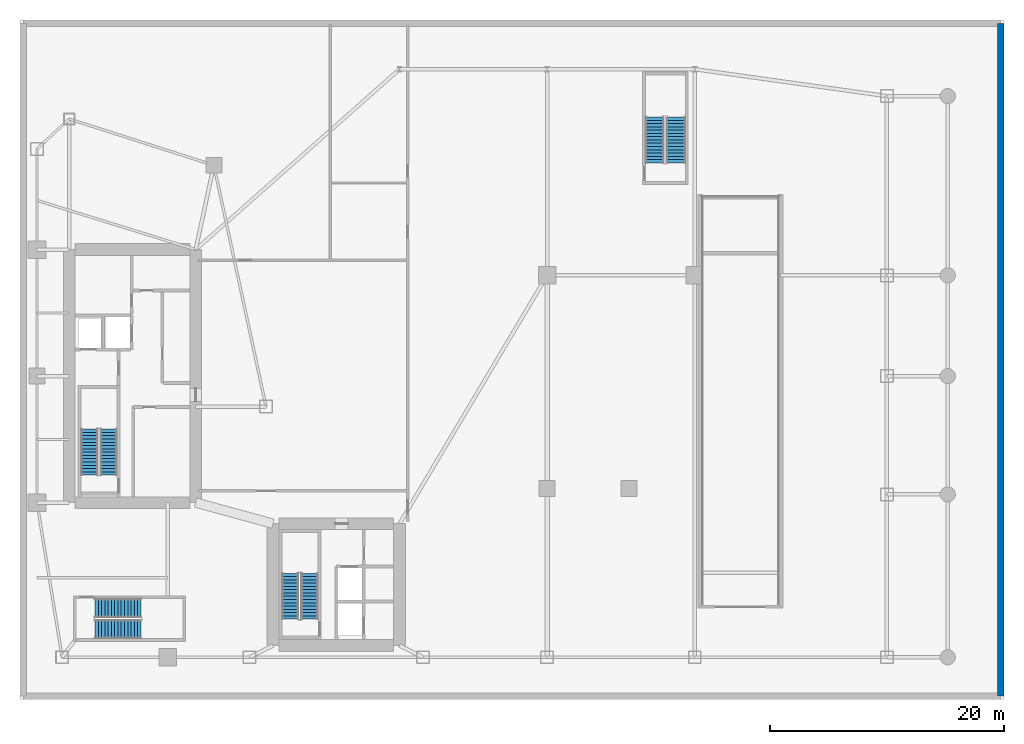
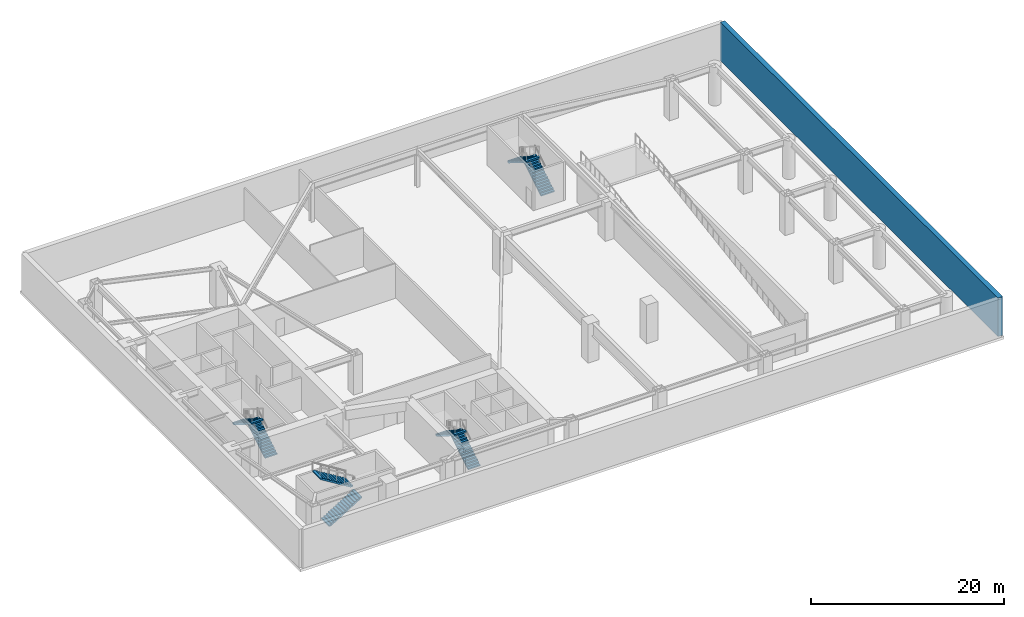
# One storey, part 9 of 13: 8 stair flights, 1 wall, 4 elements without a shape of their own.
"""IFC4 building model written with IfcOpenShell, lengths in metres."""

from ifc_helpers import new_model, si_unit, direction, frame, frame_2d, origin, place, context, subcontext, project, spatial, polyline, rectangle, outline, extrude, material, layer, layer_set, type_object, element, aggregate, save


model = new_model("IFC4")

# Units and contexts
model_context = context("Model", 3, precision=1e-05, world=origin(), true_north=direction((0.0, 1.0)))
body_context = subcontext(model_context, "Body", "Model", "MODEL_VIEW")
ifc_project = project(units=[si_unit("LENGTHUNIT", "METRE"), si_unit("AREAUNIT", "SQUARE_METRE"), si_unit("VOLUMEUNIT", "CUBIC_METRE"), si_unit("PLANEANGLEUNIT", "RADIAN"), si_unit("MASSUNIT", "GRAM", prefix="KILO")], contexts=[model_context])

# Site, building, storey
site_placement = place(None, origin())
site = spatial("IfcSite", under=ifc_project, at=site_placement, CompositionType="ELEMENT")
building_placement = place(site_placement, origin())
building = spatial("IfcBuilding", under=site, at=building_placement, Name="Calvorn Quay Hotel", CompositionType="ELEMENT")
storey_placement = place(building_placement, frame((0.0, 0.0, -5.199951171875)))
storey = spatial("IfcBuildingStorey", under=building, at=storey_placement, Name="B1", CompositionType="ELEMENT", Elevation=-5.199951171875)

# Wall
ifc_material_1 = material(Name="Concrete C45", Category="concrete")
ifc_layer = layer(ifc_material_1, 0.550048828125)
ifc_layer_set = layer_set([ifc_layer], Name="WL-BSM-RET-550")
wall_type = type_object("IfcWallType", Name="WL-BSM-RET-550", PredefinedType="USERDEFINED", material=ifc_layer_set)
wall_placement = place(storey_placement, frame((83.719970703125, 0.280029296875, 0.0), z_axis=(0.0, 0.0, 1.0), x_axis=(0.0, 1.0, 0.0)))
element("IfcWall", 1, at=wall_placement, inside=storey, type_object=wall_type, Name="B1 Retaining Wall E", ObjectType="RETAINING", PredefinedType="USERDEFINED", context=body_context, shape_type="SweptSolid", body=[
    extrude(rectangle(XDim=57.43994140625, YDim=0.550048828125, at=frame_2d((28.719970703125, 0.0))), origin(), (0.0, 0.0, 1.0), 4.8798828125),
])

# Stair, stair flights
ifc_material_2 = material(Name="Concrete C40", Category="concrete")
stair_type_1 = type_object("IfcStairType", Name="STR-CORE-DOGLEG", PredefinedType="HALF_TURN_STAIR", material=ifc_material_2)
stair_1_placement = place(storey_placement, origin())
stair_1 = element("IfcStair", 2, at=stair_1_placement, inside=storey, type_object=stair_type_1, Name="B1 ST-W", PredefinedType="HALF_TURN_STAIR")
ifc_material_3 = material(Name="Concrete C40", Category="concrete")
stair_flight_type_1 = type_object("IfcStairFlightType", Name="FLT-CORE-1550", PredefinedType="STRAIGHT", material=ifc_material_3)
stair_flight_1_placement = place(storey_placement, frame((7.574951171875, 19.14990234375, 0.0), z_axis=(0.0, 0.0, 1.0), x_axis=(0.0, 1.0, 0.0)))
stair_flight_1 = element("IfcStairFlight", 3, at=stair_flight_1_placement, type_object=stair_flight_type_1, Name="ST-W flight 1", NumberOfRisers=15, NumberOfTreads=14, PredefinedType="STRAIGHT", RiserHeight=0.173333333, TreadLength=0.28, context=body_context, shape_type="SweptSolid", body=[
    extrude(outline(polyline([(0.0, 0.0), (0.0, 0.17333984375), (0.280029296875, 0.17333984375), (0.280029296875, 0.3466796875), (0.56005859375, 0.3466796875), (0.56005859375, 0.52001953125), (0.840087890625, 0.52001953125), (0.840087890625, 0.693359375), (1.1201171875, 0.693359375), (1.1201171875, 0.86669921875), (1.39990234375, 0.86669921875), (1.39990234375, 1.0400390625), (1.679931640625, 1.0400390625), (1.679931640625, 1.21337890625), (1.9599609375, 1.21337890625), (1.9599609375, 1.38671875), (2.239990234375, 1.38671875), (2.239990234375, 1.56005859375), (2.52001953125, 1.56005859375), (2.52001953125, 1.7333984375), (2.800048828125, 1.7333984375), (2.800048828125, 1.90673828125), (3.080078125, 1.90673828125), (3.080078125, 2.080078125), (3.360107421875, 2.080078125), (3.360107421875, 2.25341796875), (3.639892578125, 2.25341796875), (3.639892578125, 2.4267578125), (3.919921875, 2.4267578125), (3.919921875, 2.60009765625), (3.919921875, 2.250244140625), (0.284912109375, 0.0), (0.0, 0.0)])), frame((0.0, 0.72509765625, 0.0), z_axis=(0.0, -1.0, 0.0), x_axis=(1.0, 0.0, 0.0)), (0.0, 0.0, 1.0), 1.449951171875),
])
stair_flight_2_placement = place(storey_placement, frame((5.925048828125, 23.070068359375, 2.599853515625), z_axis=(0.0, 0.0, 1.0), x_axis=(0.0, -1.0, 0.0)))
stair_flight_2 = element("IfcStairFlight", 4, at=stair_flight_2_placement, type_object=stair_flight_type_1, Name="ST-W flight 2", NumberOfRisers=15, NumberOfTreads=14, PredefinedType="STRAIGHT", RiserHeight=0.173333333, TreadLength=0.28, context=body_context, shape_type="SweptSolid", body=[
    extrude(outline(polyline([(0.0, 0.0), (0.0, 0.17333984375), (0.280029296875, 0.17333984375), (0.280029296875, 0.3466796875), (0.56005859375, 0.3466796875), (0.56005859375, 0.52001953125), (0.840087890625, 0.52001953125), (0.840087890625, 0.693359375), (1.1201171875, 0.693359375), (1.1201171875, 0.86669921875), (1.39990234375, 0.86669921875), (1.39990234375, 1.0400390625), (1.679931640625, 1.0400390625), (1.679931640625, 1.21337890625), (1.9599609375, 1.21337890625), (1.9599609375, 1.38671875), (2.239990234375, 1.38671875), (2.239990234375, 1.56005859375), (2.52001953125, 1.56005859375), (2.52001953125, 1.7333984375), (2.800048828125, 1.7333984375), (2.800048828125, 1.90673828125), (3.080078125, 1.90673828125), (3.080078125, 2.080078125), (3.360107421875, 2.080078125), (3.360107421875, 2.25341796875), (3.639892578125, 2.25341796875), (3.639892578125, 2.4267578125), (3.919921875, 2.4267578125), (3.919921875, 2.60009765625), (3.919921875, 2.250244140625), (0.284912109375, 0.0), (0.0, 0.0)])), frame((0.0, 0.72509765625, 0.0), z_axis=(0.0, -1.0, 0.0), x_axis=(1.0, 0.0, 0.0)), (0.0, 0.0, 1.0), 1.449951171875),
])
aggregate(stair_1, [stair_flight_1, stair_flight_2])

stair_2_placement = place(storey_placement, origin())
stair_2 = element("IfcStair", 5, at=stair_2_placement, inside=storey, type_object=stair_type_1, Name="B1 ST-E", PredefinedType="HALF_TURN_STAIR")
stair_flight_3_placement = place(storey_placement, frame((24.72509765625, 6.85009765625, 0.0), z_axis=(0.0, 0.0, 1.0), x_axis=(0.0, 1.0, 0.0)))
stair_flight_3 = element("IfcStairFlight", 6, at=stair_flight_3_placement, type_object=stair_flight_type_1, Name="ST-E flight 1", NumberOfRisers=15, NumberOfTreads=14, PredefinedType="STRAIGHT", RiserHeight=0.173333333, TreadLength=0.28, context=body_context, shape_type="SweptSolid", body=[
    extrude(outline(polyline([(0.0, 0.0), (0.0, 0.17333984375), (0.280029296875, 0.17333984375), (0.280029296875, 0.3466796875), (0.56005859375, 0.3466796875), (0.56005859375, 0.52001953125), (0.840087890625, 0.52001953125), (0.840087890625, 0.693359375), (1.1201171875, 0.693359375), (1.1201171875, 0.86669921875), (1.39990234375, 0.86669921875), (1.39990234375, 1.0400390625), (1.679931640625, 1.0400390625), (1.679931640625, 1.21337890625), (1.9599609375, 1.21337890625), (1.9599609375, 1.38671875), (2.239990234375, 1.38671875), (2.239990234375, 1.56005859375), (2.52001953125, 1.56005859375), (2.52001953125, 1.7333984375), (2.800048828125, 1.7333984375), (2.800048828125, 1.90673828125), (3.080078125, 1.90673828125), (3.080078125, 2.080078125), (3.360107421875, 2.080078125), (3.360107421875, 2.25341796875), (3.639892578125, 2.25341796875), (3.639892578125, 2.4267578125), (3.919921875, 2.4267578125), (3.919921875, 2.60009765625), (3.919921875, 2.250244140625), (0.284912109375, 0.0), (0.0, 0.0)])), frame((0.0, 0.72509765625, 0.0), z_axis=(0.0, -1.0, 0.0), x_axis=(1.0, 0.0, 0.0)), (0.0, 0.0, 1.0), 1.449951171875),
])
stair_flight_4_placement = place(storey_placement, frame((23.074951171875, 10.77001953125, 2.599853515625), z_axis=(0.0, 0.0, 1.0), x_axis=(0.0, -1.0, 0.0)))
stair_flight_4 = element("IfcStairFlight", 7, at=stair_flight_4_placement, type_object=stair_flight_type_1, Name="ST-E flight 2", NumberOfRisers=15, NumberOfTreads=14, PredefinedType="STRAIGHT", RiserHeight=0.173333333, TreadLength=0.28, context=body_context, shape_type="SweptSolid", body=[
    extrude(outline(polyline([(0.0, 0.0), (0.0, 0.17333984375), (0.280029296875, 0.17333984375), (0.280029296875, 0.3466796875), (0.56005859375, 0.3466796875), (0.56005859375, 0.52001953125), (0.840087890625, 0.52001953125), (0.840087890625, 0.693359375), (1.1201171875, 0.693359375), (1.1201171875, 0.86669921875), (1.39990234375, 0.86669921875), (1.39990234375, 1.0400390625), (1.679931640625, 1.0400390625), (1.679931640625, 1.21337890625), (1.9599609375, 1.21337890625), (1.9599609375, 1.38671875), (2.239990234375, 1.38671875), (2.239990234375, 1.56005859375), (2.52001953125, 1.56005859375), (2.52001953125, 1.7333984375), (2.800048828125, 1.7333984375), (2.800048828125, 1.90673828125), (3.080078125, 1.90673828125), (3.080078125, 2.080078125), (3.360107421875, 2.080078125), (3.360107421875, 2.25341796875), (3.639892578125, 2.25341796875), (3.639892578125, 2.4267578125), (3.919921875, 2.4267578125), (3.919921875, 2.60009765625), (3.919921875, 2.250244140625), (0.284912109375, 0.0), (0.0, 0.0)])), frame((0.0, 0.72509765625, 0.0), z_axis=(0.0, -1.0, 0.0), x_axis=(1.0, 0.0, 0.0)), (0.0, 0.0, 1.0), 1.449951171875),
])
aggregate(stair_2, [stair_flight_3, stair_flight_4])

ifc_material_4 = material(Name="Concrete C40", Category="concrete")
stair_type_2 = type_object("IfcStairType", Name="STR-POD-DOGLEG", PredefinedType="TWO_QUARTER_TURN_STAIR", material=ifc_material_4)
stair_3_placement = place(storey_placement, origin())
stair_3 = element("IfcStair", 8, at=stair_3_placement, inside=storey, type_object=stair_type_2, Name="B1 ST-P1", PredefinedType="TWO_QUARTER_TURN_STAIR")
ifc_material_5 = material(Name="Concrete C40", Category="concrete")
stair_flight_type_2 = type_object("IfcStairFlightType", Name="FLT-POD-1750", PredefinedType="STRAIGHT", material=ifc_material_5)
stair_flight_5_placement = place(storey_placement, frame((56.0, 45.800048828125, 0.0), z_axis=(0.0, 0.0, 1.0), x_axis=(0.0, 1.0, 0.0)))
stair_flight_5 = element("IfcStairFlight", 9, at=stair_flight_5_placement, type_object=stair_flight_type_2, Name="ST-P1 flight 1", NumberOfRisers=15, NumberOfTreads=14, PredefinedType="STRAIGHT", RiserHeight=0.173333333, TreadLength=0.28, context=body_context, shape_type="SweptSolid", body=[
    extrude(outline(polyline([(0.0, 0.0), (0.0, 0.17333984375), (0.280029296875, 0.17333984375), (0.280029296875, 0.3466796875), (0.56005859375, 0.3466796875), (0.56005859375, 0.52001953125), (0.840087890625, 0.52001953125), (0.840087890625, 0.693359375), (1.1201171875, 0.693359375), (1.1201171875, 0.86669921875), (1.39990234375, 0.86669921875), (1.39990234375, 1.0400390625), (1.679931640625, 1.0400390625), (1.679931640625, 1.21337890625), (1.9599609375, 1.21337890625), (1.9599609375, 1.38671875), (2.239990234375, 1.38671875), (2.239990234375, 1.56005859375), (2.52001953125, 1.56005859375), (2.52001953125, 1.7333984375), (2.800048828125, 1.7333984375), (2.800048828125, 1.90673828125), (3.080078125, 1.90673828125), (3.080078125, 2.080078125), (3.360107421875, 2.080078125), (3.360107421875, 2.25341796875), (3.639892578125, 2.25341796875), (3.639892578125, 2.4267578125), (3.919921875, 2.4267578125), (3.919921875, 2.60009765625), (3.919921875, 2.250244140625), (0.284912109375, 0.0), (0.0, 0.0)])), frame((0.0, 0.800048828125, 0.0), z_axis=(0.0, -1.0, 0.0), x_axis=(1.0, 0.0, 0.0)), (0.0, 0.0, 1.0), 1.60009765625),
])
stair_flight_6_placement = place(storey_placement, frame((54.199951171875, 49.719970703125, 2.599853515625), z_axis=(0.0, 0.0, 1.0), x_axis=(0.0, -1.0, 0.0)))
stair_flight_6 = element("IfcStairFlight", 10, at=stair_flight_6_placement, type_object=stair_flight_type_2, Name="ST-P1 flight 2", NumberOfRisers=15, NumberOfTreads=14, PredefinedType="STRAIGHT", RiserHeight=0.173333333, TreadLength=0.28, context=body_context, shape_type="SweptSolid", body=[
    extrude(outline(polyline([(0.0, 0.0), (0.0, 0.17333984375), (0.280029296875, 0.17333984375), (0.280029296875, 0.3466796875), (0.56005859375, 0.3466796875), (0.56005859375, 0.52001953125), (0.840087890625, 0.52001953125), (0.840087890625, 0.693359375), (1.1201171875, 0.693359375), (1.1201171875, 0.86669921875), (1.39990234375, 0.86669921875), (1.39990234375, 1.0400390625), (1.679931640625, 1.0400390625), (1.679931640625, 1.21337890625), (1.9599609375, 1.21337890625), (1.9599609375, 1.38671875), (2.239990234375, 1.38671875), (2.239990234375, 1.56005859375), (2.52001953125, 1.56005859375), (2.52001953125, 1.7333984375), (2.800048828125, 1.7333984375), (2.800048828125, 1.90673828125), (3.080078125, 1.90673828125), (3.080078125, 2.080078125), (3.360107421875, 2.080078125), (3.360107421875, 2.25341796875), (3.639892578125, 2.25341796875), (3.639892578125, 2.4267578125), (3.919921875, 2.4267578125), (3.919921875, 2.60009765625), (3.919921875, 2.250244140625), (0.284912109375, 0.0), (0.0, 0.0)])), frame((0.0, 0.800048828125, 0.0), z_axis=(0.0, -1.0, 0.0), x_axis=(1.0, 0.0, 0.0)), (0.0, 0.0, 1.0), 1.60009765625),
])
aggregate(stair_3, [stair_flight_5, stair_flight_6])

stair_4_placement = place(storey_placement, origin())
stair_4 = element("IfcStair", 11, at=stair_4_placement, inside=storey, type_object=stair_type_2, Name="B1 ST-P2", PredefinedType="TWO_QUARTER_TURN_STAIR")
stair_flight_7_placement = place(storey_placement, frame((6.39990234375, 6.0, 0.0), z_axis=(0.0, 0.0, 1.0), x_axis=(1.0, 0.0, 0.0)))
stair_flight_7 = element("IfcStairFlight", 12, at=stair_flight_7_placement, type_object=stair_flight_type_2, Name="ST-P2 flight 1", NumberOfRisers=15, NumberOfTreads=14, PredefinedType="STRAIGHT", RiserHeight=0.173333333, TreadLength=0.28, context=body_context, shape_type="SweptSolid", body=[
    extrude(outline(polyline([(0.0, 0.0), (0.0, 0.17333984375), (0.280029296875, 0.17333984375), (0.280029296875, 0.3466796875), (0.56005859375, 0.3466796875), (0.56005859375, 0.52001953125), (0.840087890625, 0.52001953125), (0.840087890625, 0.693359375), (1.1201171875, 0.693359375), (1.1201171875, 0.86669921875), (1.39990234375, 0.86669921875), (1.39990234375, 1.0400390625), (1.679931640625, 1.0400390625), (1.679931640625, 1.21337890625), (1.9599609375, 1.21337890625), (1.9599609375, 1.38671875), (2.239990234375, 1.38671875), (2.239990234375, 1.56005859375), (2.52001953125, 1.56005859375), (2.52001953125, 1.7333984375), (2.800048828125, 1.7333984375), (2.800048828125, 1.90673828125), (3.080078125, 1.90673828125), (3.080078125, 2.080078125), (3.360107421875, 2.080078125), (3.360107421875, 2.25341796875), (3.639892578125, 2.25341796875), (3.639892578125, 2.4267578125), (3.919921875, 2.4267578125), (3.919921875, 2.60009765625), (3.919921875, 2.250244140625), (0.284912109375, 0.0), (0.0, 0.0)])), frame((0.0, 0.800048828125, 0.0), z_axis=(0.0, -1.0, 0.0), x_axis=(1.0, 0.0, 0.0)), (0.0, 0.0, 1.0), 1.60009765625),
])
stair_flight_8_placement = place(storey_placement, frame((10.320068359375, 7.800048828125, 2.599853515625), z_axis=(0.0, 0.0, 1.0), x_axis=(-1.0, 0.0, 0.0)))
stair_flight_8 = element("IfcStairFlight", 13, at=stair_flight_8_placement, type_object=stair_flight_type_2, Name="ST-P2 flight 2", NumberOfRisers=15, NumberOfTreads=14, PredefinedType="STRAIGHT", RiserHeight=0.173333333, TreadLength=0.28, context=body_context, shape_type="SweptSolid", body=[
    extrude(outline(polyline([(0.0, 0.0), (0.0, 0.17333984375), (0.280029296875, 0.17333984375), (0.280029296875, 0.3466796875), (0.56005859375, 0.3466796875), (0.56005859375, 0.52001953125), (0.840087890625, 0.52001953125), (0.840087890625, 0.693359375), (1.1201171875, 0.693359375), (1.1201171875, 0.86669921875), (1.39990234375, 0.86669921875), (1.39990234375, 1.0400390625), (1.679931640625, 1.0400390625), (1.679931640625, 1.21337890625), (1.9599609375, 1.21337890625), (1.9599609375, 1.38671875), (2.239990234375, 1.38671875), (2.239990234375, 1.56005859375), (2.52001953125, 1.56005859375), (2.52001953125, 1.7333984375), (2.800048828125, 1.7333984375), (2.800048828125, 1.90673828125), (3.080078125, 1.90673828125), (3.080078125, 2.080078125), (3.360107421875, 2.080078125), (3.360107421875, 2.25341796875), (3.639892578125, 2.25341796875), (3.639892578125, 2.4267578125), (3.919921875, 2.4267578125), (3.919921875, 2.60009765625), (3.919921875, 2.250244140625), (0.284912109375, 0.0), (0.0, 0.0)])), frame((0.0, 0.800048828125, 0.0), z_axis=(0.0, -1.0, 0.0), x_axis=(1.0, 0.0, 0.0)), (0.0, 0.0, 1.0), 1.60009765625),
])
aggregate(stair_4, [stair_flight_7, stair_flight_8])

save(model, "model.ifc")
